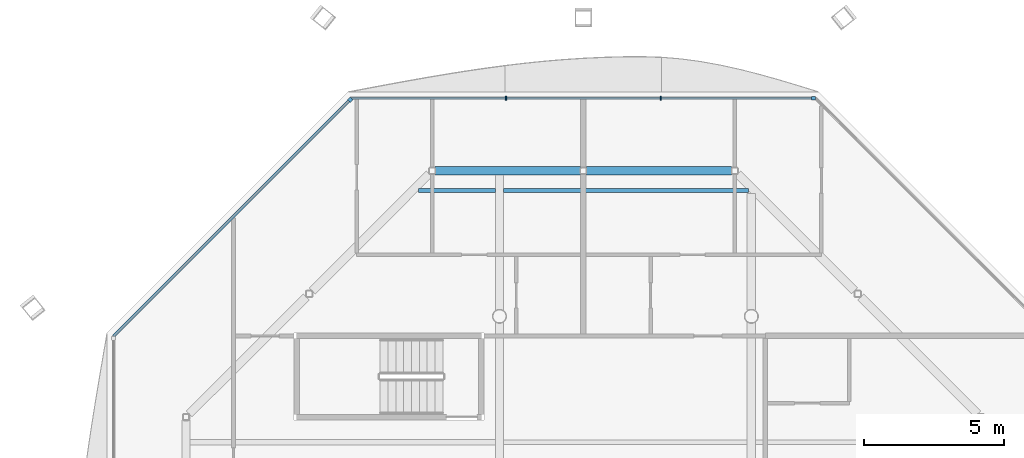
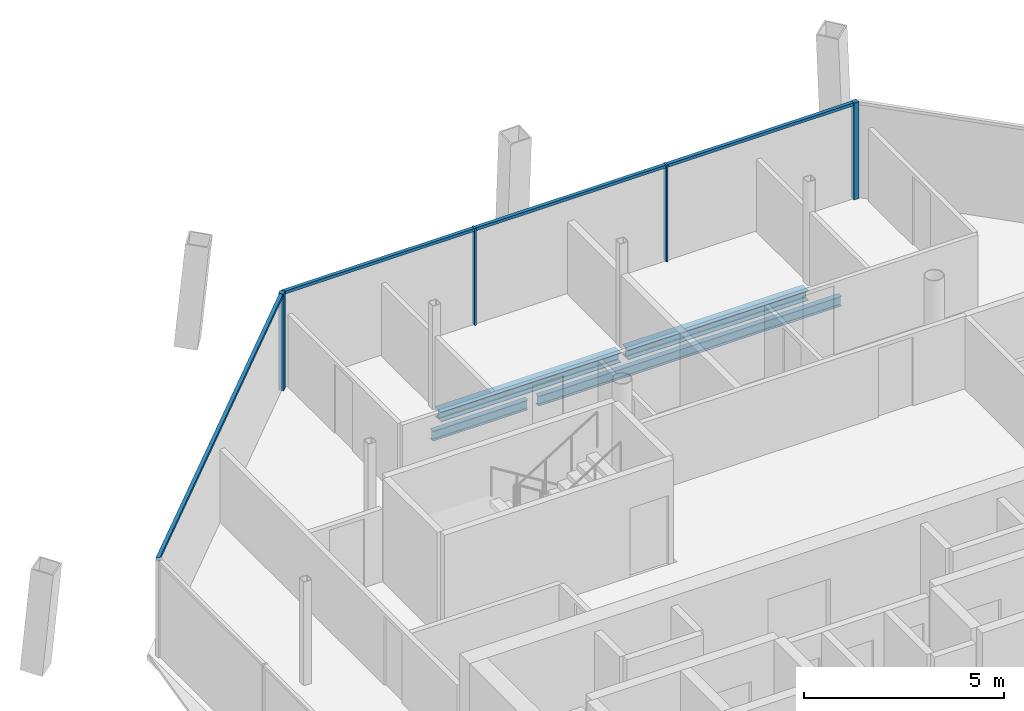
# One storey, part 8 of 16: 8 members, 4 beams, 2 elements without a shape of their own.
"""IFC4 building model written with IfcOpenShell, lengths in metres."""

import ifcopenshell
import ifcopenshell.guid

model = None  # the IFC model being written
_history = None  # IfcOwnerHistory: only IFC2X3 demands one
_inside = {}  # id of a spatial element -> (the spatial element, [elements in it])
_under = {}  # id of a project, library or spatial element -> (it, [spatial elements below it])
_declared = {}  # id of a project -> (the project, [libraries it declares])
_typed = {}  # id of a type object -> (the type object, [elements of that type])
_made_of = {}  # id of a material, layer set ... -> (it, [elements and type objects made of it])


def new_model(schema):
    """Start an empty IFC model of exactly this schema.

    Asked for "IFC4X3", IfcOpenShell would pick the latest addendum, in which some entities
    have other attributes; the version numbers below select the first issue.
    IFC2X3 requires an IfcOwnerHistory on every rooted entity: one is made here for all.
    """
    global model, _history
    if schema == "IFC4X3":
        model = ifcopenshell.file(schema_version=(4, 3, 0, 0))
    else:
        model = ifcopenshell.file(schema=schema)
    _inside.clear()
    _under.clear()
    _declared.clear()
    _typed.clear()
    _made_of.clear()
    _history = None
    if model.schema == "IFC2X3":
        org = make("IfcOrganization", Name="unknown")
        user = make(
            "IfcPersonAndOrganization",
            ThePerson=make("IfcPerson", FamilyName="unknown"),
            TheOrganization=org,
        )
        app = make(
            "IfcApplication",
            ApplicationDeveloper=org,
            Version="unknown",
            ApplicationFullName="unknown",
            ApplicationIdentifier="unknown",
        )
        _history = make(
            "IfcOwnerHistory",
            OwningUser=user,
            OwningApplication=app,
            ChangeAction="ADDED",
            CreationDate=0,
        )
    return model


def make(cls, **values):
    """One entity of the class cls with the attributes given. An attribute that is None is left unset."""
    return model.create_entity(
        cls, **{name: value for name, value in values.items() if value is not None}
    )


def rooted(cls, **values):
    """An entity with a GlobalId (a new one), such as an element, a storey or a relation."""
    return make(cls, GlobalId=ifcopenshell.guid.new(), OwnerHistory=_history, **values)


def si_unit(unit_type, name, prefix=None):
    """IfcSIUnit, for example si_unit("LENGTHUNIT", "METRE", prefix="MILLI")."""
    return make("IfcSIUnit", UnitType=unit_type, Prefix=prefix, Name=name)


def assignment(units):
    """IfcUnitAssignment: the units of a project."""
    return None if units is None else make("IfcUnitAssignment", Units=units)


def point(xyz):
    """IfcCartesianPoint."""
    return None if xyz is None else make("IfcCartesianPoint", Coordinates=xyz)


def direction(xyz):
    """IfcDirection."""
    return None if xyz is None else make("IfcDirection", DirectionRatios=xyz)


def frame(location, z_axis=None, x_axis=None):
    """IfcAxis2Placement3D, a coordinate frame: its origin and axes. An axis left out is left unset."""
    return make(
        "IfcAxis2Placement3D",
        Location=point(location),
        Axis=direction(z_axis),
        RefDirection=direction(x_axis),
    )


def frame_2d(location, x_axis=None):
    """IfcAxis2Placement2D, a coordinate frame in the plane: its origin and x axis."""
    return make(
        "IfcAxis2Placement2D", Location=point(location), RefDirection=direction(x_axis)
    )


def origin():
    """The frame at (0, 0, 0) with its axes left unset."""
    return frame((0.0, 0.0, 0.0))


def origin_2d():
    """The frame at (0, 0) in the plane with its x axis left unset."""
    return frame_2d((0.0, 0.0))


def place(relative_to, where):
    """IfcLocalPlacement: puts the frame where relative to a parent placement (None: the world)."""
    return make(
        "IfcLocalPlacement", PlacementRelTo=relative_to, RelativePlacement=where
    )


def context(
    kind, dimensions, precision=None, world=None, true_north=None, identifier=None
):
    """IfcGeometricRepresentationContext, for example the 3D "Model" context."""
    return make(
        "IfcGeometricRepresentationContext",
        ContextIdentifier=identifier,
        ContextType=kind,
        CoordinateSpaceDimension=dimensions,
        Precision=precision,
        WorldCoordinateSystem=world,
        TrueNorth=true_north,
    )


def subcontext(parent, identifier, kind, view, scale=None):
    """IfcGeometricRepresentationSubContext, for example "Body" below "Model"."""
    return make(
        "IfcGeometricRepresentationSubContext",
        ContextIdentifier=identifier,
        ContextType=kind,
        ParentContext=parent,
        TargetScale=scale,
        TargetView=view,
    )


def project(units=None, contexts=None):
    """IfcProject with its units and contexts."""
    return rooted(
        "IfcProject",
        Name="project",
        RepresentationContexts=contexts,
        UnitsInContext=assignment(units),
    )


def spatial(cls, under=None, at=None, **own):
    """A site, building, storey or space (cls), placed at a placement, below another one or the project."""
    s = rooted(cls, ObjectPlacement=at, **own)
    if under is not None:
        _under.setdefault(under.id(), (under, []))[1].append(s)
    return s


def profile(cls, at=None, kind="AREA", **sizes):
    """A parametric profile (cls). Its sizes go by their IFC names, for example OverallWidth=200.0."""
    return make(cls, ProfileType=kind, Position=at, **sizes)


def rectangle(**sizes):
    """IfcRectangleProfileDef."""
    return profile("IfcRectangleProfileDef", **sizes)


def i_section(**sizes):
    """IfcIShapeProfileDef."""
    return profile("IfcIShapeProfileDef", **sizes)


def extrude(swept, where, along, depth):
    """IfcExtrudedAreaSolid: the profile swept, set in the frame where, extruded along a direction by depth."""
    return make(
        "IfcExtrudedAreaSolid",
        SweptArea=swept,
        Position=where,
        ExtrudedDirection=direction(along),
        Depth=depth,
    )


def shape(context_of_items, identifier, shape_type, items):
    """IfcShapeRepresentation: the items that make up one representation, for example the "Body"."""
    return make(
        "IfcShapeRepresentation",
        ContextOfItems=context_of_items,
        RepresentationIdentifier=identifier,
        RepresentationType=shape_type,
        Items=items,
    )


def material(Name=None, Category=None):
    """IfcMaterial."""
    return make("IfcMaterial", Name=Name, Category=Category)


def material_profile(
    of_material, cross_section, Name=None, Category=None, Priority=None
):
    """IfcMaterialProfile: a cross section and its material."""
    return make(
        "IfcMaterialProfile",
        Name=Name,
        Material=of_material,
        Profile=cross_section,
        Priority=Priority,
        Category=Category,
    )


def profile_set(profiles, Name=None, composite=None):
    """IfcMaterialProfileSet."""
    return make(
        "IfcMaterialProfileSet",
        Name=Name,
        MaterialProfiles=profiles,
        CompositeProfile=composite,
    )


def made_of(thing, what):
    """Note that an element or type object is made of a material, layer set ...; save() writes the relation."""
    if what is not None:
        _made_of.setdefault(what.id(), (what, []))[1].append(thing)
    return thing


def type_object(cls, material=None, **own):
    """A type object (cls), such as IfcWallType, which elements share."""
    return made_of(rooted(cls, **own), material)


def element(
    cls,
    number,
    at=None,
    inside=None,
    cuts=None,
    type_object=None,
    material=None,
    context=None,
    identifier="Body",
    shape_type=None,
    held_by="IfcProductDefinitionShape",
    body=None,
    shapes=None,
    **own,
):
    """One element of the class cls, such as IfcWall. Its Tag is "e" and its number.

    at: its placement. inside: the storey or other place that contains it. cuts: it is an
    opening in that element (IfcRelVoidsElement). A single representation is given by context,
    identifier, shape_type and body (its items); several are given by shapes. held_by: the class
    of the entity that holds the representations. save() writes the other relations.
    """
    e = rooted(cls, Tag="e%d" % number, ObjectPlacement=at, **own)
    if body is not None:
        shapes = [shape(context, identifier, shape_type, body)]
    if shapes is not None:
        e.Representation = make(held_by, Representations=shapes)
    if inside is not None:
        _inside.setdefault(inside.id(), (inside, []))[1].append(e)
    if cuts is not None:
        rooted(
            "IfcRelVoidsElement", RelatingBuildingElement=cuts, RelatedOpeningElement=e
        )
    if type_object is not None:
        _typed.setdefault(type_object.id(), (type_object, []))[1].append(e)
    return made_of(e, material)


def aggregate(whole, parts):
    """IfcRelAggregates: a whole, such as a stair, and the parts it consists of."""
    return rooted("IfcRelAggregates", RelatingObject=whole, RelatedObjects=parts)


def save(model, path):
    """Write the relations noted so far, then the file.

    IfcRelAggregates (storeys below a building ...), IfcRelContainedInSpatialStructure (elements
    in a storey), IfcRelDefinesByType, IfcRelAssociatesMaterial and IfcRelDeclares: one each for
    every whole, place, type object, material and project.
    """
    for whole, parts in _under.values():
        aggregate(whole, parts)
    for where, things in _inside.values():
        rooted(
            "IfcRelContainedInSpatialStructure",
            RelatedElements=things,
            RelatingStructure=where,
        )
    for kind, things in _typed.values():
        rooted("IfcRelDefinesByType", RelatedObjects=things, RelatingType=kind)
    for what, things in _made_of.values():
        rooted("IfcRelAssociatesMaterial", RelatedObjects=things, RelatingMaterial=what)
    for by, libraries in _declared.values():
        rooted("IfcRelDeclares", RelatingContext=by, RelatedDefinitions=libraries)
    model.write(path)


model = new_model("IFC4")

# Units and contexts
model_context = context("Model", 3, precision=1e-05, world=origin(), true_north=direction((0.0, 1.0)))
body_context = subcontext(model_context, "Body", "Model", "MODEL_VIEW")
ifc_project = project(units=[si_unit("LENGTHUNIT", "METRE"), si_unit("AREAUNIT", "SQUARE_METRE"), si_unit("VOLUMEUNIT", "CUBIC_METRE"), si_unit("PLANEANGLEUNIT", "RADIAN"), si_unit("MASSUNIT", "GRAM", prefix="KILO")], contexts=[model_context])

# Site, building, storey
site_placement = place(None, origin())
site = spatial("IfcSite", under=ifc_project, at=site_placement, CompositionType="ELEMENT")
building_placement = place(site_placement, origin())
building = spatial("IfcBuilding", under=site, at=building_placement, Name="Tskaro Facet Tower", CompositionType="ELEMENT")
storey_placement = place(building_placement, frame((0.0, 0.0, 262.64990234375)))
storey = spatial("IfcBuildingStorey", under=building, at=storey_placement, Name="L69", CompositionType="ELEMENT", Elevation=262.64990234375)

# Curtain wall, member
ifc_material_1 = material(Name="Bronze anodised aluminium 6063-T6", Category="aluminium")
curtain_wall_type = type_object("IfcCurtainWallType", Name="Bronze residence curtain wall (FW3)", PredefinedType="NOTDEFINED", material=ifc_material_1)
curtain_wall_1_placement = place(storey_placement, origin())
curtain_wall_1 = element("IfcCurtainWall", 1, at=curtain_wall_1_placement, inside=storey, type_object=curtain_wall_type, Name="FW3 north facet L69", PredefinedType="NOTDEFINED")
ifc_material_profile_1 = material_profile(ifc_material_1, rectangle(XDim=0.139892578125, YDim=0.139892578125, at=origin_2d()), Name="Corner post 140x140")
ifc_profile_set_1 = profile_set([ifc_material_profile_1], Name="Bronze anodised aluminium 6063-T6")
member_type_1 = type_object("IfcMemberType", Name="FW3 bronze corner post 140x140", PredefinedType="MULLION", material=ifc_profile_set_1)
member_1_placement = place(storey_placement, frame((11.217041015625, 16.79296875, 0.0), z_axis=(0.0, 0.0, 1.0), x_axis=(-1.0, 0.0, 0.0)))
member_1 = element("IfcMember", 2, at=member_1_placement, type_object=member_type_1, Name="FW3 north corner post", PredefinedType="MULLION", context=body_context, shape_type="SweptSolid", body=[
    extrude(rectangle(XDim=0.139892578125, YDim=0.139892578125, at=origin_2d()), origin(), (0.0, 0.0, 1.0), 2.9501953125),
])

curtain_wall_2_placement = place(storey_placement, origin())
curtain_wall_2 = element("IfcCurtainWall", 3, at=curtain_wall_2_placement, inside=storey, type_object=curtain_wall_type, Name="FW3 north-west facet L69", PredefinedType="NOTDEFINED")
member_2_placement = place(storey_placement, frame((-5.33642578125, 16.743408203125, 0.0), z_axis=(0.0, 0.0, 1.0), x_axis=(-0.707106781187, -0.707106781187, 0.0)))
member_2 = element("IfcMember", 4, at=member_2_placement, type_object=member_type_1, Name="FW3 north-west corner post", PredefinedType="MULLION", context=body_context, shape_type="SweptSolid", body=[
    extrude(rectangle(XDim=0.139892578125, YDim=0.139892578125, at=origin_2d()), origin(), (0.0, 0.0, 1.0), 2.9501953125),
])

# Member
ifc_material_profile_2 = material_profile(ifc_material_1, rectangle(XDim=0.050048828125, YDim=0.139892578125, at=origin_2d()), Name="Mullion 50x140")
ifc_profile_set_2 = profile_set([ifc_material_profile_2], Name="Bronze anodised aluminium 6063-T6")
member_type_2 = type_object("IfcMemberType", Name="FW3 bronze mullion 50x140", PredefinedType="MULLION", material=ifc_profile_set_2)
member_3_placement = place(storey_placement, frame((5.762451171875, 16.79296875, 0.0), z_axis=(0.0, 0.0, 1.0), x_axis=(-1.0, 0.0, 0.0)))
member_3 = element("IfcMember", 5, at=member_3_placement, type_object=member_type_2, Name="FW3 north mullion 1", PredefinedType="MULLION", context=body_context, shape_type="SweptSolid", body=[
    extrude(rectangle(XDim=0.050048828125, YDim=0.139892578125, at=origin_2d()), origin(), (0.0, 0.0, 1.0), 2.9501953125),
])

member_4_placement = place(storey_placement, frame((0.237548828125, 16.79296875, 0.0), z_axis=(0.0, 0.0, 1.0), x_axis=(-1.0, 0.0, 0.0)))
member_4 = element("IfcMember", 6, at=member_4_placement, type_object=member_type_2, Name="FW3 north mullion 2", PredefinedType="MULLION", context=body_context, shape_type="SweptSolid", body=[
    extrude(rectangle(XDim=0.050048828125, YDim=0.139892578125, at=origin_2d()), origin(), (0.0, 0.0, 1.0), 2.9501953125),
])

ifc_material_profile_3 = material_profile(ifc_material_1, rectangle(XDim=0.10009765625, YDim=0.090087890625, at=origin_2d()), Name="Transom 100x90")
ifc_profile_set_3 = profile_set([ifc_material_profile_3], Name="Bronze anodised aluminium 6063-T6")
member_type_3 = type_object("IfcMemberType", Name="FW3 bronze transom 100x90", PredefinedType="USERDEFINED", material=ifc_profile_set_3)
member_5_placement = place(storey_placement, frame((11.14697265625, 16.79296875, 2.905029296875), z_axis=(-1.0, 0.0, 0.0), x_axis=(0.0, -1.0, 0.0)))
member_5 = element("IfcMember", 7, at=member_5_placement, type_object=member_type_3, Name="FW3 north transom 1.1", ObjectType="TRANSOM", PredefinedType="USERDEFINED", context=body_context, shape_type="SweptSolid", body=[
    extrude(rectangle(XDim=0.10009765625, YDim=0.090087890625, at=origin_2d()), origin(), (0.0, 0.0, 1.0), 5.359619140625),
])

member_6_placement = place(storey_placement, frame((5.7373046875, 16.79296875, 2.905029296875), z_axis=(-1.0, 0.0, 0.0), x_axis=(0.0, -1.0, 0.0)))
member_6 = element("IfcMember", 8, at=member_6_placement, type_object=member_type_3, Name="FW3 north transom 2.1", ObjectType="TRANSOM", PredefinedType="USERDEFINED", context=body_context, shape_type="SweptSolid", body=[
    extrude(rectangle(XDim=0.10009765625, YDim=0.090087890625, at=origin_2d()), origin(), (0.0, 0.0, 1.0), 5.474609375),
])

member_7_placement = place(storey_placement, frame((0.212646484375, 16.79296875, 2.905029296875), z_axis=(-1.0, 0.0, 0.0), x_axis=(0.0, -1.0, 0.0)))
member_7 = element("IfcMember", 9, at=member_7_placement, type_object=member_type_3, Name="FW3 north transom 3.1", ObjectType="TRANSOM", PredefinedType="USERDEFINED", context=body_context, shape_type="SweptSolid", body=[
    extrude(rectangle(XDim=0.10009765625, YDim=0.090087890625, at=origin_2d()), origin(), (0.0, 0.0, 1.0), 5.499755859375),
])

aggregate(curtain_wall_1, [member_1, member_3, member_4, member_5, member_6, member_7])

member_8_placement = place(storey_placement, frame((-5.385986328125, 16.694091796875, 2.905029296875), z_axis=(-0.707106781187, -0.707106781187, 0.0), x_axis=(0.707106781187, -0.707106781187, 0.0)))
member_8 = element("IfcMember", 10, at=member_8_placement, type_object=member_type_3, Name="FW3 north-west transom 1.1", ObjectType="TRANSOM", PredefinedType="USERDEFINED", context=body_context, shape_type="SweptSolid", body=[
    extrude(rectangle(XDim=0.10009765625, YDim=0.090087890625, at=origin_2d()), origin(), (0.0, 0.0, 1.0), 11.88916015625),
])

aggregate(curtain_wall_2, [member_2, member_8])

# Beams
ifc_material_2 = material(Name="Steel S355J2", Category="steel")
ifc_material_profile_4 = material_profile(ifc_material_2, i_section(OverallWidth=0.300048828125, OverallDepth=0.300048828125, WebThickness=0.010986328125, FlangeThickness=0.01904296875, FilletRadius=0.027099609375, at=origin_2d()), Name="HE 300 B")
ifc_profile_set_4 = profile_set([ifc_material_profile_4], Name="Steel S355J2")
beam_type_1 = type_object("IfcBeamType", Name="HE 300 B ring beam", PredefinedType="BEAM", material=ifc_profile_set_4)
for number, where, z_axis, x_axis, name in (
    (11, (8.298095703125, 14.199951171875, -0.289794921875), (-1.0, 0.0, 0.0), (0.0, -1.0, 0.0), "HE 300 B EB9-6"),
    (12, (2.89501953125, 14.199951171875, -0.289794921875), (-1.0, 0.0, 0.0), (0.0, -1.0, 0.0), "HE 300 B EB10-6"),
):
    element("IfcBeam", number, at=place(storey_placement, frame(where, z_axis=z_axis, x_axis=x_axis)), inside=storey, type_object=beam_type_1, Name=name, PredefinedType="BEAM", context=body_context, shape_type="SweptSolid", body=[
        extrude(i_section(OverallWidth=0.300048828125, OverallDepth=0.300048828125, WebThickness=0.010986328125, FlangeThickness=0.01904296875, FilletRadius=0.027099609375, at=origin_2d()), origin(), (0.0, 0.0, 1.0), 5.193115234375),
    ])
ifc_material_profile_5 = material_profile(ifc_material_2, i_section(OverallWidth=0.14990234375, OverallDepth=0.300048828125, WebThickness=0.007080078125, FlangeThickness=0.0107421875, FilletRadius=0.014892578125, at=origin_2d()), Name="IPE 300")
ifc_profile_set_5 = profile_set([ifc_material_profile_5], Name="Steel S355J2")
beam_type_2 = type_object("IfcBeamType", Name="IPE 300 secondary beam", PredefinedType="BEAM", material=ifc_profile_set_5)
beam_1_placement = place(storey_placement, frame((-2.89111328125, 13.5, -0.289794921875), z_axis=(1.0, 0.0, 0.0), x_axis=(0.0, 1.0, 0.0)))
element("IfcBeam", 13, at=beam_1_placement, inside=storey, type_object=beam_type_2, Name="IPE 300 SB5a-1-6", PredefinedType="BEAM", context=body_context, shape_type="SweptSolid", body=[
    extrude(i_section(OverallWidth=0.14990234375, OverallDepth=0.300048828125, WebThickness=0.007080078125, FlangeThickness=0.0107421875, FilletRadius=0.014892578125, at=origin_2d()), origin(), (0.0, 0.0, 1.0), 2.7412109375),
])
beam_2_placement = place(storey_placement, frame((0.14990234375, 13.5, -0.289794921875), z_axis=(1.0, 0.0, 0.0), x_axis=(0.0, 1.0, 0.0)))
element("IfcBeam", 14, at=beam_2_placement, inside=storey, type_object=beam_type_2, Name="IPE 300 SB5a-2-6", PredefinedType="BEAM", context=body_context, shape_type="SweptSolid", body=[
    extrude(i_section(OverallWidth=0.14990234375, OverallDepth=0.300048828125, WebThickness=0.007080078125, FlangeThickness=0.0107421875, FilletRadius=0.014892578125, at=origin_2d()), origin(), (0.0, 0.0, 1.0), 8.7412109375),
])

save(model, "model.ifc")
